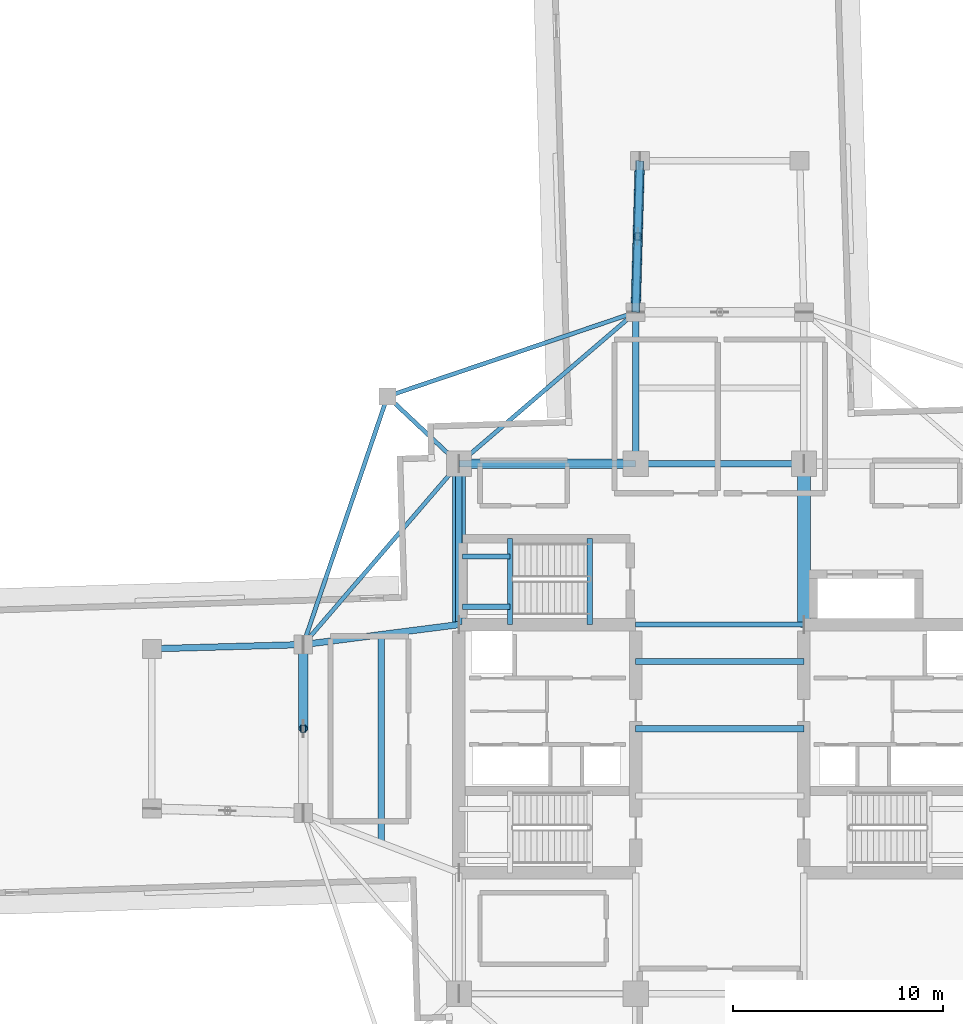
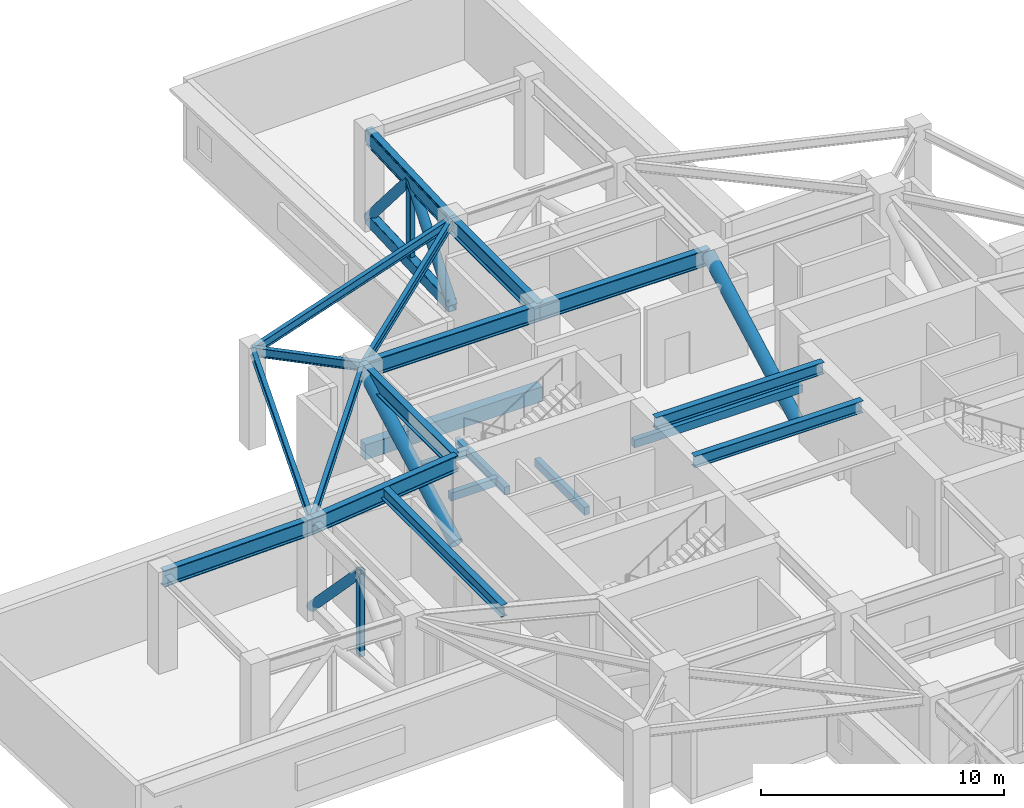
# One storey, part 4 of 17: 21 beams, 9 members.
"""IFC4 building model written with IfcOpenShell, lengths in metres."""

from ifc_helpers import new_model, si_unit, direction, frame, origin, origin_2d, place, context, subcontext, project, spatial, rectangle, hollow_rectangle, hollow_circle, i_section, extrude, material, material_profile, profile_set, type_object, element, save


model = new_model("IFC4")

# Units and contexts
model_context = context("Model", 3, precision=1e-05, world=origin(), true_north=direction((0.0, 1.0)))
body_context = subcontext(model_context, "Body", "Model", "MODEL_VIEW")
ifc_project = project(units=[si_unit("LENGTHUNIT", "METRE"), si_unit("AREAUNIT", "SQUARE_METRE"), si_unit("VOLUMEUNIT", "CUBIC_METRE"), si_unit("PLANEANGLEUNIT", "RADIAN"), si_unit("MASSUNIT", "GRAM", prefix="KILO")], contexts=[model_context])

# Site, building, storey
site_placement = place(None, origin())
site = spatial("IfcSite", under=ifc_project, at=site_placement, CompositionType="ELEMENT")
building_placement = place(site_placement, origin())
building = spatial("IfcBuilding", under=site, at=building_placement, Name="Qingluan Cross Belvedere", CompositionType="ELEMENT")
storey_placement = place(building_placement, frame((0.0, 0.0, 191.699951171875)))
storey = spatial("IfcBuildingStorey", under=building, at=storey_placement, Name="L48", CompositionType="ELEMENT", Elevation=191.699951171875)

# Beams
ifc_material_1 = material(Name="Concrete C45", Category="concrete")
ifc_material_profile_1 = material_profile(ifc_material_1, rectangle(XDim=0.25, YDim=0.39990234375, at=origin_2d()), Name="RC250x400")
ifc_profile_set_1 = profile_set([ifc_material_profile_1], Name="Concrete C45")
beam_type_1 = type_object("IfcBeamType", Name="RC_Lintel_RC250x400", PredefinedType="LINTEL", material=ifc_profile_set_1)
for number, where, z_axis, x_axis, name in (
    (1, (-6.179931640625, 4.949951171875, -0.199951171875), (0.0, 1.0, 0.0), (-1.0, 0.0, 0.0), "Stair ST3 landing beam L48"),
    (2, (-9.969970703125, 4.949951171875, 2.150146484375), (0.0, 1.0, 0.0), (-1.0, 0.0, 0.0), "Stair ST3 beam A L48"),
):
    element("IfcBeam", number, at=place(storey_placement, frame(where, z_axis=z_axis, x_axis=x_axis)), inside=storey, type_object=beam_type_1, Name=name, PredefinedType="LINTEL", context=body_context, shape_type="SweptSolid", body=[
        extrude(rectangle(XDim=0.25, YDim=0.39990234375, at=origin_2d()), origin(), (0.0, 0.0, 1.0), 4.090087890625),
    ])
for number, where, z_axis, x_axis, name in (
    (3, (-12.219970703125, 5.800048828125, 2.150146484375), (1.0, 0.0, 0.0), (0.0, 1.0, 0.0), "Stair ST3 beam B L48"),
    (4, (-12.219970703125, 8.18994140625, 2.150146484375), (1.0, 0.0, 0.0), (0.0, 1.0, 0.0), "Stair ST3 beam C L48"),
):
    element("IfcBeam", number, at=place(storey_placement, frame(where, z_axis=z_axis, x_axis=x_axis)), inside=storey, type_object=beam_type_1, Name=name, PredefinedType="LINTEL", context=body_context, shape_type="SweptSolid", body=[
        extrude(rectangle(XDim=0.25, YDim=0.39990234375, at=origin_2d()), origin(), (0.0, 0.0, 1.0), 2.25),
    ])
beam_1_placement = place(storey_placement, frame((-4.0, 4.949951171875, 2.449951171875), z_axis=(1.0, 0.0, 0.0), x_axis=(0.0, 1.0, 0.0)))
element("IfcBeam", 5, at=beam_1_placement, inside=storey, type_object=beam_type_1, Name="Core coupling lintel beam L48", PredefinedType="LINTEL", context=body_context, shape_type="SweptSolid", body=[
    extrude(rectangle(XDim=0.25, YDim=0.39990234375, at=origin_2d()), origin(), (0.0, 0.0, 1.0), 8.0),
])
ifc_material_2 = material(Name="Concrete C45", Category="concrete")
ifc_material_profile_2 = material_profile(ifc_material_2, rectangle(XDim=0.449951171875, YDim=0.75, at=origin_2d()), Name="RC450x750")
ifc_profile_set_2 = profile_set([ifc_material_profile_2], Name="Concrete C45")
beam_type_2 = type_object("IfcBeamType", Name="RC_Spandrel_RC450x750", PredefinedType="SPANDREL", material=ifc_profile_set_2)
beam_2_placement = place(storey_placement, frame((-12.39990234375, 12.60009765625, 0.400146484375), z_axis=(1.0, 0.0, 0.0), x_axis=(0.0, 1.0, 0.0)))
element("IfcBeam", 6, at=beam_2_placement, inside=storey, type_object=beam_type_2, Name="Perimeter RC spandrel beam L48-NW", PredefinedType="SPANDREL", context=body_context, shape_type="SweptSolid", body=[
    extrude(rectangle(XDim=0.449951171875, YDim=0.75, at=origin_2d()), origin(), (0.0, 0.0, 1.0), 8.39990234375),
])

# Members
ifc_material_3 = material(Name="Steel Q420GJB", Category="steel")
ifc_material_profile_3 = material_profile(ifc_material_3, hollow_circle(Radius=0.228515625, WallThickness=0.02001953125, at=origin_2d()), Name="CHS457x20")
ifc_profile_set_3 = profile_set([ifc_material_profile_3], Name="Steel Q420GJB")
member_type_1 = type_object("IfcMemberType", Name="SteelMember_BRACE_CHS457x20", PredefinedType="BRACE", material=ifc_profile_set_3)
member_1_placement = place(storey_placement, frame((-19.800048828125, 4.0, 0.35009765625), z_axis=(0.0, -0.693983482825, 0.719990920475), x_axis=(1.0, 0.0, 0.0)))
element("IfcMember", 7, at=member_1_placement, inside=storey, type_object=member_type_1, Name="Belt truss diagonal B L48-W", PredefinedType="BRACE", context=body_context, shape_type="SweptSolid", body=[
    extrude(hollow_circle(Radius=0.228515625, WallThickness=0.02001953125, at=origin_2d()), origin(), (0.0, 0.0, 1.0), 5.763916015625),
])
member_2_placement = place(storey_placement, frame((-4.0, 19.800048828125, 0.35009765625), z_axis=(0.018217452501, 0.655161797871, 0.755268921004), x_axis=(-0.999613636213, 0.027795292699, 0.0)))
element("IfcMember", 8, at=member_2_placement, inside=storey, type_object=member_type_1, Name="Belt truss diagonal A L48-NN", PredefinedType="BRACE", context=body_context, shape_type="SweptSolid", body=[
    extrude(hollow_circle(Radius=0.228515625, WallThickness=0.02001953125, at=origin_2d()), origin(), (0.0, 0.0, 1.0), 5.49462890625),
])
member_3_placement = place(storey_placement, frame((-3.800048828125, 27.0, 0.35009765625), z_axis=(-0.018172505357, -0.655187687035, 0.755247545383), x_axis=(0.999615569646, -0.027725672588, 0.0)))
element("IfcMember", 9, at=member_3_placement, inside=storey, type_object=member_type_1, Name="Belt truss diagonal B L48-NN", PredefinedType="BRACE", context=body_context, shape_type="SweptSolid", body=[
    extrude(hollow_circle(Radius=0.228515625, WallThickness=0.02001953125, at=origin_2d()), origin(), (0.0, 0.0, 1.0), 5.494873046875),
])
ifc_material_4 = material(Name="Steel Q420GJB", Category="steel")
ifc_material_profile_4 = material_profile(ifc_material_4, hollow_circle(Radius=0.304931640625, WallThickness=0.028076171875, at=origin_2d()), Name="CHS610x28")
ifc_profile_set_4 = profile_set([ifc_material_profile_4], Name="Steel Q420GJB")
member_type_2 = type_object("IfcMemberType", Name="SteelMember_BRACE_CHS610x28", PredefinedType="BRACE", material=ifc_profile_set_4)
for number, where, z_axis, x_axis, name in (
    (10, (-12.39990234375, 4.949951171875, 0.35009765625), (0.0, 0.878999574006, 0.476822554937), (-1.0, 0.0, 0.0), "Outrigger truss diagonal L48-OWN"),
    (11, (4.0, 4.949951171875, 0.35009765625), (0.0, 0.878999574006, 0.476822554937), (-1.0, 0.0, 0.0), "Outrigger truss diagonal L48-OCE"),
):
    element("IfcMember", number, at=place(storey_placement, frame(where, z_axis=z_axis, x_axis=x_axis)), inside=storey, type_object=member_type_2, Name=name, PredefinedType="BRACE", context=body_context, shape_type="SweptSolid", body=[
        extrude(hollow_circle(Radius=0.304931640625, WallThickness=0.028076171875, at=origin_2d()), origin(), (0.0, 0.0, 1.0), 8.703125),
    ])
ifc_material_5 = material(Name="Steel Q420GJB", Category="steel")
ifc_material_profile_5 = material_profile(ifc_material_5, hollow_rectangle(XDim=0.39990234375, YDim=0.60009765625, WallThickness=0.02490234375, InnerFilletRadius=0.02490234375, OuterFilletRadius=0.050048828125, at=origin_2d()), Name="RHS600x400x25")
ifc_profile_set_5 = profile_set([ifc_material_profile_5], Name="Steel Q420GJB")
member_type_3 = type_object("IfcMemberType", Name="SteelMember_CHORD_RHS600x400x25", PredefinedType="CHORD", material=ifc_profile_set_5)
for number, where, z_axis, x_axis, name in (
    (12, (-4.0, 19.800048828125, 0.35009765625), (0.027760481514, 0.999614603568, 0.0), (-0.999614603568, 0.027760481514, 0.0), "Belt truss bottom chord L48-NN"),
    (13, (-4.0, 19.800048828125, 4.5), (0.027760481514, 0.999614603568, 0.0), (-0.999614603568, 0.027760481514, 0.0), "Belt truss top chord L48-NN"),
):
    element("IfcMember", number, at=place(storey_placement, frame(where, z_axis=z_axis, x_axis=x_axis)), inside=storey, type_object=member_type_3, Name=name, PredefinedType="CHORD", context=body_context, shape_type="SweptSolid", body=[
        extrude(hollow_rectangle(XDim=0.39990234375, YDim=0.60009765625, WallThickness=0.02490234375, InnerFilletRadius=0.02490234375, OuterFilletRadius=0.050048828125, at=origin_2d()), origin(), (0.0, 0.0, 1.0), 7.20263671875),
    ])
ifc_material_6 = material(Name="Steel Q420GJB", Category="steel")
ifc_material_profile_6 = material_profile(ifc_material_6, hollow_rectangle(XDim=0.25, YDim=0.35009765625, WallThickness=0.01611328125, InnerFilletRadius=0.01611328125, OuterFilletRadius=0.031982421875, at=origin_2d()), Name="RHS350x250x16")
ifc_profile_set_6 = profile_set([ifc_material_profile_6], Name="Steel Q420GJB")
member_type_4 = type_object("IfcMemberType", Name="SteelMember_POST_RHS350x250x16", PredefinedType="POST", material=ifc_profile_set_6)
for number, where, z_axis, x_axis, name in (
    (14, (-19.800048828125, 0.0, 0.35009765625), (0.0, 0.0, 1.0), (1.0, 0.0, 0.0), "Belt truss mid-post L48-W"),
    (15, (-3.89990234375, 23.39990234375, 0.35009765625), (0.0, 0.0, 1.0), (1.0, 0.0, 0.0), "Belt truss mid-post L48-NN"),
):
    element("IfcMember", number, at=place(storey_placement, frame(where, z_axis=z_axis, x_axis=x_axis)), inside=storey, type_object=member_type_4, Name=name, PredefinedType="POST", context=body_context, shape_type="SweptSolid", body=[
        extrude(hollow_rectangle(XDim=0.25, YDim=0.35009765625, WallThickness=0.01611328125, InnerFilletRadius=0.01611328125, OuterFilletRadius=0.031982421875, at=origin_2d()), origin(), (0.0, 0.0, 1.0), 4.14990234375),
    ])

# Beams
ifc_material_7 = material(Name="Steel Q420GJB", Category="steel")
ifc_material_profile_7 = material_profile(ifc_material_7, i_section(OverallWidth=0.300048828125, OverallDepth=0.587890625, WebThickness=0.011962890625, FlangeThickness=0.02001953125, FilletRadius=0.02392578125, at=origin_2d()), Name="HM588x300x12x20")
ifc_profile_set_7 = profile_set([ifc_material_profile_7], Name="Steel Q420GJB")
beam_type_3 = type_object("IfcBeamType", Name="Steel_Beam_HM588x300x12x20", PredefinedType="BEAM", material=ifc_profile_set_7)
for number, where, z_axis, x_axis, name in (
    (16, (-4.0, 0.0, 4.55615234375), (1.0, 0.0, 0.0), (0.0, 1.0, 0.0), "Hall beam L48-CH2"),
    (17, (-4.0, 3.199951171875, 4.55615234375), (1.0, 0.0, 0.0), (0.0, 1.0, 0.0), "Hall beam L48-CH3"),
):
    element("IfcBeam", number, at=place(storey_placement, frame(where, z_axis=z_axis, x_axis=x_axis)), inside=storey, type_object=beam_type_3, Name=name, PredefinedType="BEAM", context=body_context, shape_type="SweptSolid", body=[
        extrude(i_section(OverallWidth=0.300048828125, OverallDepth=0.587890625, WebThickness=0.011962890625, FlangeThickness=0.02001953125, FilletRadius=0.02392578125, at=origin_2d()), origin(), (0.0, 0.0, 1.0), 8.0),
    ])
beam_3_placement = place(storey_placement, frame((-16.10009765625, -5.425048828125, 4.55615234375), z_axis=(0.0, 1.0, 0.0), x_axis=(-1.0, 0.0, 0.0)))
element("IfcBeam", 18, at=beam_3_placement, inside=storey, type_object=beam_type_3, Name="Arm W beam L48", PredefinedType="BEAM", context=body_context, shape_type="SweptSolid", body=[
    extrude(i_section(OverallWidth=0.300048828125, OverallDepth=0.587890625, WebThickness=0.011962890625, FlangeThickness=0.02001953125, FilletRadius=0.02392578125, at=origin_2d()), origin(), (0.0, 0.0, 1.0), 9.900146484375),
])
ifc_material_8 = material(Name="Steel Q420GJB", Category="steel")
ifc_material_profile_8 = material_profile(ifc_material_8, i_section(OverallWidth=0.199951171875, OverallDepth=0.449951171875, WebThickness=0.009033203125, FlangeThickness=0.013916015625, FilletRadius=0.01611328125, at=origin_2d()), Name="HN450x200x9x14")
ifc_profile_set_8 = profile_set([ifc_material_profile_8], Name="Steel Q420GJB")
beam_type_4 = type_object("IfcBeamType", Name="Steel_Beam_HN450x200x9x14", PredefinedType="JOIST", material=ifc_profile_set_8)
beam_4_placement = place(storey_placement, frame((-12.39990234375, 12.60009765625, 4.625), z_axis=(-0.728219948308, 0.685343495546, 0.0), x_axis=(-0.685343495546, -0.728219948308, 0.0)))
element("IfcBeam", 19, at=beam_4_placement, inside=storey, type_object=beam_type_4, Name="Corner beam 1 L48-RNW", PredefinedType="JOIST", context=body_context, shape_type="SweptSolid", body=[
    extrude(i_section(OverallWidth=0.199951171875, OverallDepth=0.449951171875, WebThickness=0.009033203125, FlangeThickness=0.013916015625, FilletRadius=0.01611328125, at=origin_2d()), origin(), (0.0, 0.0, 1.0), 4.669189453125),
])
for number, where, z_axis, x_axis, name in (
    (20, (-15.800048828125, 15.800048828125, 4.625), (0.947066283324, 0.321038089628, 0.0), (-0.321038089628, 0.947066283324, 0.0), "Corner beam 2 L48-RNW"),
    (21, (-15.800048828125, 15.800048828125, 4.625), (-0.321038089628, -0.947066283324, 0.0), (0.947066283324, -0.321038089628, 0.0), "Corner beam 3 L48-RNW"),
):
    element("IfcBeam", number, at=place(storey_placement, frame(where, z_axis=z_axis, x_axis=x_axis)), inside=storey, type_object=beam_type_4, Name=name, PredefinedType="JOIST", context=body_context, shape_type="SweptSolid", body=[
        extrude(i_section(OverallWidth=0.199951171875, OverallDepth=0.449951171875, WebThickness=0.009033203125, FlangeThickness=0.013916015625, FilletRadius=0.01611328125, at=origin_2d()), origin(), (0.0, 0.0, 1.0), 12.45947265625),
    ])
beam_5_placement = place(storey_placement, frame((-12.39990234375, 12.60009765625, 4.625), z_axis=(-0.652245077546, -0.75800815221, 0.0), x_axis=(0.75800815221, -0.652245077546, 0.0)))
element("IfcBeam", 22, at=beam_5_placement, inside=storey, type_object=beam_type_4, Name="Corner beam 4 L48-RNW", PredefinedType="JOIST", context=body_context, shape_type="SweptSolid", body=[
    extrude(i_section(OverallWidth=0.199951171875, OverallDepth=0.449951171875, WebThickness=0.009033203125, FlangeThickness=0.013916015625, FilletRadius=0.01611328125, at=origin_2d()), origin(), (0.0, 0.0, 1.0), 11.345703125),
])
beam_6_placement = place(storey_placement, frame((-12.39990234375, 12.60009765625, 4.625), z_axis=(0.759255044656, 0.650793190779, 0.0), x_axis=(-0.650793190779, 0.759255044656, 0.0)))
element("IfcBeam", 23, at=beam_6_placement, inside=storey, type_object=beam_type_4, Name="Corner beam 5 L48-RNW", PredefinedType="JOIST", context=body_context, shape_type="SweptSolid", body=[
    extrude(i_section(OverallWidth=0.199951171875, OverallDepth=0.449951171875, WebThickness=0.009033203125, FlangeThickness=0.013916015625, FilletRadius=0.01611328125, at=origin_2d()), origin(), (0.0, 0.0, 1.0), 11.063232421875),
])
ifc_material_9 = material(Name="Steel Q420GJB", Category="steel")
ifc_material_profile_9 = material_profile(ifc_material_9, i_section(OverallWidth=0.305908203125, OverallDepth=0.81396484375, WebThickness=0.02099609375, FlangeThickness=0.0400390625, FilletRadius=0.030029296875, at=origin_2d()), Name="HEM800")
ifc_profile_set_9 = profile_set([ifc_material_profile_9], Name="Steel Q420GJB")
beam_type_5 = type_object("IfcBeamType", Name="Steel_Girder_HEM800", PredefinedType="USERDEFINED", material=ifc_profile_set_9)
beam_7_placement = place(storey_placement, frame((-12.39990234375, 12.60009765625, 4.443115234375), z_axis=(1.0, 0.0, 0.0), x_axis=(0.0, 1.0, 0.0)))
element("IfcBeam", 24, at=beam_7_placement, inside=storey, type_object=beam_type_5, Name="Hub girder L48-HG-N1", ObjectType="GIRDER", PredefinedType="USERDEFINED", context=body_context, shape_type="SweptSolid", body=[
    extrude(i_section(OverallWidth=0.305908203125, OverallDepth=0.81396484375, WebThickness=0.02099609375, FlangeThickness=0.0400390625, FilletRadius=0.030029296875, at=origin_2d()), origin(), (0.0, 0.0, 1.0), 8.39990234375),
])
beam_8_placement = place(storey_placement, frame((-4.0, 12.60009765625, 4.443115234375), z_axis=(1.0, 0.0, 0.0), x_axis=(0.0, 1.0, 0.0)))
element("IfcBeam", 25, at=beam_8_placement, inside=storey, type_object=beam_type_5, Name="Hub girder L48-HG-N2", ObjectType="GIRDER", PredefinedType="USERDEFINED", context=body_context, shape_type="SweptSolid", body=[
    extrude(i_section(OverallWidth=0.305908203125, OverallDepth=0.81396484375, WebThickness=0.02099609375, FlangeThickness=0.0400390625, FilletRadius=0.030029296875, at=origin_2d()), origin(), (0.0, 0.0, 1.0), 8.0),
])
beam_9_placement = place(storey_placement, frame((-12.39990234375, 4.949951171875, 4.443115234375), z_axis=(0.0, 1.0, 0.0), x_axis=(-1.0, 0.0, 0.0)))
element("IfcBeam", 26, at=beam_9_placement, inside=storey, type_object=beam_type_5, Name="Hub girder L48-HG-W2", ObjectType="GIRDER", PredefinedType="USERDEFINED", context=body_context, shape_type="SweptSolid", body=[
    extrude(i_section(OverallWidth=0.305908203125, OverallDepth=0.81396484375, WebThickness=0.02099609375, FlangeThickness=0.0400390625, FilletRadius=0.030029296875, at=origin_2d()), origin(), (0.0, 0.0, 1.0), 7.650146484375),
])
beam_10_placement = place(storey_placement, frame((-12.39990234375, 4.949951171875, 4.443115234375), z_axis=(-0.991861120628, -0.12732445714, 0.0), x_axis=(0.12732445714, -0.991861120628, 0.0)))
element("IfcBeam", 27, at=beam_10_placement, inside=storey, type_object=beam_type_5, Name="Arm W radial girder B L48", ObjectType="GIRDER", PredefinedType="USERDEFINED", context=body_context, shape_type="SweptSolid", body=[
    extrude(i_section(OverallWidth=0.305908203125, OverallDepth=0.81396484375, WebThickness=0.02099609375, FlangeThickness=0.0400390625, FilletRadius=0.030029296875, at=origin_2d()), origin(), (0.0, 0.0, 1.0), 7.4609375),
])
beam_11_placement = place(storey_placement, frame((-19.800048828125, 4.0, 4.443115234375), z_axis=(-0.999614603568, -0.027760481514, 0.0), x_axis=(0.027760481514, -0.999614603568, 0.0)))
element("IfcBeam", 28, at=beam_11_placement, inside=storey, type_object=beam_type_5, Name="Arm W outer radial girder B L48", ObjectType="GIRDER", PredefinedType="USERDEFINED", context=body_context, shape_type="SweptSolid", body=[
    extrude(i_section(OverallWidth=0.305908203125, OverallDepth=0.81396484375, WebThickness=0.02099609375, FlangeThickness=0.0400390625, FilletRadius=0.030029296875, at=origin_2d()), origin(), (0.0, 0.0, 1.0), 7.20263671875),
])
beam_12_placement = place(storey_placement, frame((-4.0, 12.60009765625, 4.443115234375), z_axis=(0.0, 1.0, 0.0), x_axis=(-1.0, 0.0, 0.0)))
element("IfcBeam", 29, at=beam_12_placement, inside=storey, type_object=beam_type_5, Name="Arm N radial girder A L48", ObjectType="GIRDER", PredefinedType="USERDEFINED", context=body_context, shape_type="SweptSolid", body=[
    extrude(i_section(OverallWidth=0.305908203125, OverallDepth=0.81396484375, WebThickness=0.02099609375, FlangeThickness=0.0400390625, FilletRadius=0.030029296875, at=origin_2d()), origin(), (0.0, 0.0, 1.0), 7.199951171875),
])
beam_13_placement = place(storey_placement, frame((-4.0, 19.800048828125, 4.443115234375), z_axis=(0.027760481514, 0.999614603568, 0.0), x_axis=(-0.999614603568, 0.027760481514, 0.0)))
element("IfcBeam", 30, at=beam_13_placement, inside=storey, type_object=beam_type_5, Name="Arm N outer radial girder A L48", ObjectType="GIRDER", PredefinedType="USERDEFINED", context=body_context, shape_type="SweptSolid", body=[
    extrude(i_section(OverallWidth=0.305908203125, OverallDepth=0.81396484375, WebThickness=0.02099609375, FlangeThickness=0.0400390625, FilletRadius=0.030029296875, at=origin_2d()), origin(), (0.0, 0.0, 1.0), 7.20263671875),
])

save(model, "model.ifc")
